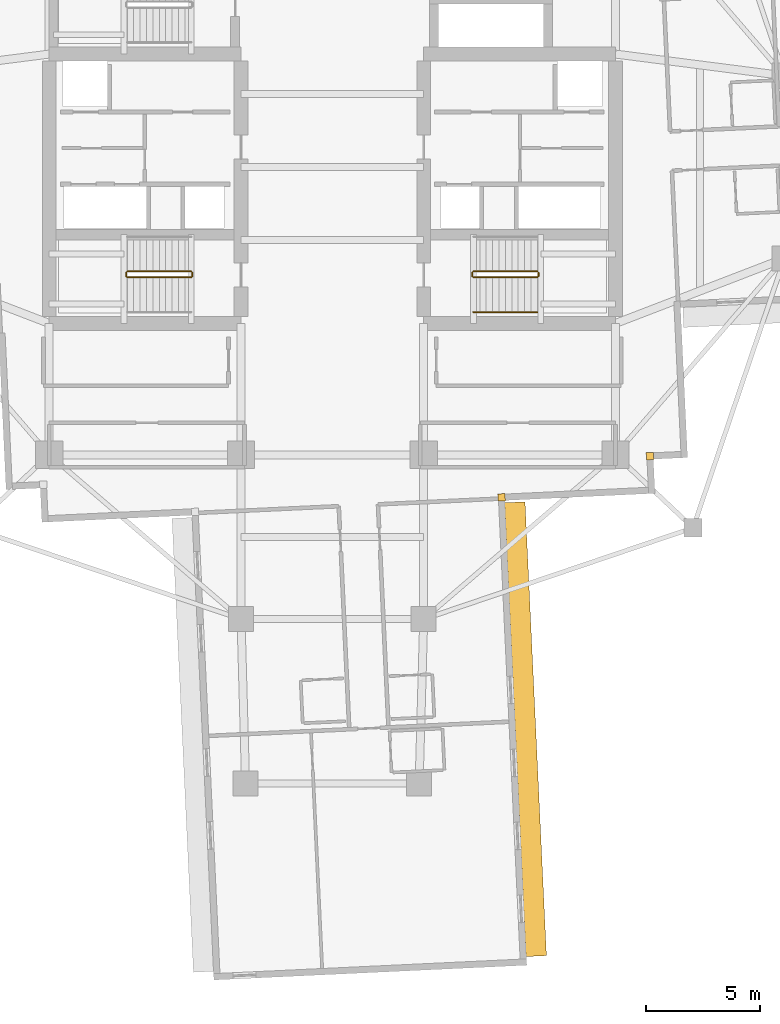
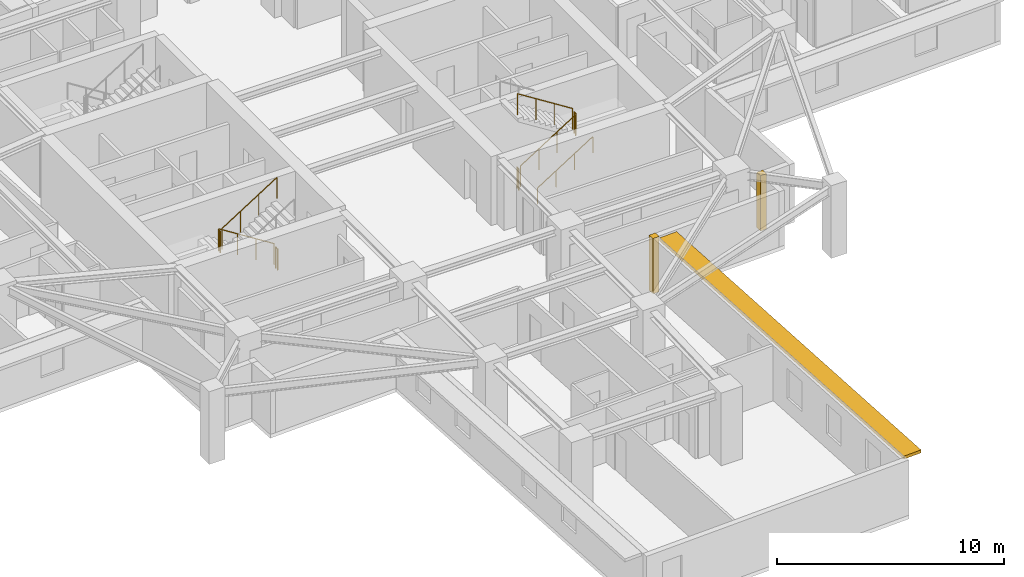
# One storey, part 11 of 14: 9 railings, 2 coverings, 1 shading device.
"""IFC4 building model written with IfcOpenShell, lengths in metres."""

from ifc_helpers import new_model, si_unit, direction, frame, origin, origin_2d, place, context, subcontext, project, spatial, rectangle, circle, extrude, material, layer, layer_set, type_object, element, save


model = new_model("IFC4")

# Units and contexts
model_context = context("Model", 3, precision=1e-05, world=origin(), true_north=direction((0.0, 1.0)))
body_context = subcontext(model_context, "Body", "Model", "MODEL_VIEW")
ifc_project = project(units=[si_unit("LENGTHUNIT", "METRE"), si_unit("AREAUNIT", "SQUARE_METRE"), si_unit("VOLUMEUNIT", "CUBIC_METRE"), si_unit("PLANEANGLEUNIT", "RADIAN"), si_unit("MASSUNIT", "GRAM", prefix="KILO")], contexts=[model_context])

# Site, building, storey
site_placement = place(None, origin())
site = spatial("IfcSite", under=ifc_project, at=site_placement, CompositionType="ELEMENT")
building_placement = place(site_placement, origin())
building = spatial("IfcBuilding", under=site, at=building_placement, Name="Qingluan Cross Belvedere", CompositionType="ELEMENT")
storey_placement = place(building_placement, frame((0.0, 0.0, 132.0)))
storey = spatial("IfcBuildingStorey", under=building, at=storey_placement, Name="L33", CompositionType="ELEMENT", Elevation=132.0)

# Coverings
ifc_material_1 = material(Name="Precast concrete C45", Category="concrete")
ifc_layer_1 = layer(ifc_material_1, 0.1201171875, Name="ConcreteSpandrelCladding_120")
ifc_layer_set_1 = layer_set([ifc_layer_1], Name="Precast concrete C45")
covering_type = type_object("IfcCoveringType", Name="ConcreteSpandrelCladding_120", PredefinedType="CLADDING", material=ifc_layer_set_1)
for number, where, z_axis, x_axis, name in (
    (1, (13.911865234375, -12.65869140625, 0.0), (0.0, 0.0, 1.0), (0.998889874962, 0.04710645071, 0.0), "Corner closure L33-SE1"),
    (2, (7.40966796875, -14.467041015625, 0.0), (0.0, 0.0, 1.0), (0.998889874962, 0.04710645071, 0.0), "Corner closure L33-SE2"),
):
    element("IfcCovering", number, at=place(storey_placement, frame(where, z_axis=z_axis, x_axis=x_axis)), inside=storey, type_object=covering_type, Name=name, PredefinedType="CLADDING", context=body_context, shape_type="SweptSolid", body=[
        extrude(rectangle(XDim=0.320068359375, YDim=0.320068359375, at=origin_2d()), origin(), (0.0, 0.0, 1.0), 2.969970703125),
    ])

# Shading device
ifc_material_2 = material(Name="Precast concrete C45", Category="concrete")
ifc_layer_2 = layer(ifc_material_2, 0.159912109375, Name="ConcreteSunshadeBand_900")
ifc_layer_set_2 = layer_set([ifc_layer_2], Name="Precast concrete C45")
shading_device_type = type_object("IfcShadingDeviceType", Name="ConcreteSunshadeBand_900", PredefinedType="USERDEFINED", material=ifc_layer_set_2)
shading_device_placement = place(storey_placement, frame((8.458984375, -24.618896484375, 2.7900390625), z_axis=(0.0, 0.0, 1.0), x_axis=(-0.047104684445, 0.998889958255, 0.0)))
element("IfcShadingDevice", 3, at=shading_device_placement, inside=storey, type_object=shading_device_type, Name="Concrete SUNSHADE L33-SB", ObjectType="SUNSHADE", PredefinedType="USERDEFINED", context=body_context, shape_type="SweptSolid", body=[
    extrude(rectangle(XDim=19.89990234375, YDim=0.89990234375, at=origin_2d()), origin(), (0.0, 0.0, 1.0), 0.159912109375),
])

# Railings
ifc_material_3 = material(Name="Brushed stainless steel tubular handrail", Category="steel")
railing_type_1 = type_object("IfcRailingType", Name="StairPitchHandrail_900", PredefinedType="HANDRAIL", material=ifc_material_3)
railing_1_placement = place(storey_placement, frame((6.179931640625, -6.35009765625, 0.17724609375)))
element("IfcRailing", 4, at=railing_1_placement, inside=storey, type_object=railing_type_1, Name="L33 ST2 stair handrail 1", PredefinedType="HANDRAIL", context=body_context, shape_type="SweptSolid", body=[
    extrude(circle(Radius=0.02392578125, at=origin_2d()), frame((0.0, 0.0, 0.8759765625), z_axis=(0.844908973607, 0.0, 0.534910110503), x_axis=(0.0, 1.0, 0.0)), (0.0, 0.0, 1.0), 3.31396484375),
    extrude(circle(Radius=0.02099609375, at=origin_2d()), origin(), (0.0, 0.0, 1.0), 0.851806640625),
    extrude(circle(Radius=0.02099609375, at=origin_2d()), frame((0.933349609375, 0.0, 0.5908203125)), (0.0, 0.0, 1.0), 0.851806640625),
    extrude(circle(Radius=0.02099609375, at=origin_2d()), frame((1.86669921875, 0.0, 1.181884765625)), (0.0, 0.0, 1.0), 0.851806640625),
    extrude(circle(Radius=0.02099609375, at=origin_2d()), frame((2.800048828125, 0.0, 1.772705078125)), (0.0, 0.0, 1.0), 0.851806640625),
])
ifc_material_4 = material(Name="Painted steel stair well guard", Category="steel")
railing_type_2 = type_object("IfcRailingType", Name="StairWellGuard_1150", PredefinedType="BALUSTRADE", material=ifc_material_4)
railing_2_placement = place(storey_placement, frame((-6.179931640625, -4.570068359375, 0.17724609375)))
element("IfcRailing", 5, at=railing_2_placement, inside=storey, type_object=railing_type_2, Name="L33 ST1 stair guard 1", PredefinedType="BALUSTRADE", context=body_context, shape_type="SweptSolid", body=[
    extrude(circle(Radius=0.02392578125, at=origin_2d()), frame((0.0, 0.0, 1.1259765625), z_axis=(-0.844908973607, 0.0, 0.534910110503), x_axis=(0.0, -1.0, 0.0)), (0.0, 0.0, 1.0), 3.31396484375),
    extrude(circle(Radius=0.02099609375, at=origin_2d()), origin(), (0.0, 0.0, 1.0), 1.101806640625),
    extrude(circle(Radius=0.02099609375, at=origin_2d()), frame((-0.933349609375, 0.0, 0.5908203125)), (0.0, 0.0, 1.0), 1.101806640625),
    extrude(circle(Radius=0.02099609375, at=origin_2d()), frame((-1.86669921875, 0.0, 1.181884765625)), (0.0, 0.0, 1.0), 1.101806640625),
    extrude(circle(Radius=0.02099609375, at=origin_2d()), frame((-2.800048828125, 0.0, 1.772705078125)), (0.0, 0.0, 1.0), 1.101806640625),
])
railing_3_placement = place(storey_placement, frame((-9.030029296875, -4.6201171875, 1.949951171875)))
element("IfcRailing", 6, at=railing_3_placement, inside=storey, type_object=railing_type_2, Name="L33 ST1 stair guard 2", PredefinedType="BALUSTRADE", context=body_context, shape_type="SweptSolid", body=[
    extrude(circle(Radius=0.02392578125, at=origin_2d()), frame((0.0, 0.0, 1.1259765625), z_axis=(0.0, -1.0, 0.0), x_axis=(1.0, 0.0, 0.0)), (0.0, 0.0, 1.0), 0.159912109375),
    extrude(circle(Radius=0.02099609375, at=origin_2d()), origin(), (0.0, 0.0, 1.0), 1.101806640625),
    extrude(circle(Radius=0.02099609375, at=origin_2d()), frame((0.0, -0.159912109375, 0.0)), (0.0, 0.0, 1.0), 1.101806640625),
])
railing_4_placement = place(storey_placement, frame((-8.97998046875, -4.830078125, 2.127197265625)))
element("IfcRailing", 7, at=railing_4_placement, inside=storey, type_object=railing_type_2, Name="L33 ST1 stair guard 3", PredefinedType="BALUSTRADE", context=body_context, shape_type="SweptSolid", body=[
    extrude(circle(Radius=0.02392578125, at=origin_2d()), frame((0.0, 0.0, 1.1259765625), z_axis=(0.844908973607, 0.0, 0.534910110503), x_axis=(0.0, 1.0, 0.0)), (0.0, 0.0, 1.0), 3.31396484375),
    extrude(circle(Radius=0.02099609375, at=origin_2d()), origin(), (0.0, 0.0, 1.0), 1.101806640625),
    extrude(circle(Radius=0.02099609375, at=origin_2d()), frame((0.933349609375, 0.0, 0.5908203125)), (0.0, 0.0, 1.0), 1.101806640625),
    extrude(circle(Radius=0.02099609375, at=origin_2d()), frame((1.86669921875, 0.0, 1.181884765625)), (0.0, 0.0, 1.0), 1.101806640625),
    extrude(circle(Radius=0.02099609375, at=origin_2d()), frame((2.800048828125, 0.0, 1.772705078125)), (0.0, 0.0, 1.0), 1.101806640625),
])
railing_5_placement = place(storey_placement, frame((-6.1298828125, -4.6201171875, 0.0)))
element("IfcRailing", 8, at=railing_5_placement, inside=storey, type_object=railing_type_2, Name="L33 ST1 stair guard 4", PredefinedType="BALUSTRADE", context=body_context, shape_type="SweptSolid", body=[
    extrude(circle(Radius=0.02392578125, at=origin_2d()), frame((0.0, 0.0, 1.1259765625), z_axis=(0.0, -1.0, 0.0), x_axis=(1.0, 0.0, 0.0)), (0.0, 0.0, 1.0), 0.159912109375),
    extrude(circle(Radius=0.02099609375, at=origin_2d()), origin(), (0.0, 0.0, 1.0), 1.101806640625),
    extrude(circle(Radius=0.02099609375, at=origin_2d()), frame((0.0, -0.159912109375, 0.0)), (0.0, 0.0, 1.0), 1.101806640625),
])
railing_6_placement = place(storey_placement, frame((6.179931640625, -4.830078125, 0.17724609375)))
element("IfcRailing", 9, at=railing_6_placement, inside=storey, type_object=railing_type_2, Name="L33 ST2 stair guard 1", PredefinedType="BALUSTRADE", context=body_context, shape_type="SweptSolid", body=[
    extrude(circle(Radius=0.02392578125, at=origin_2d()), frame((0.0, 0.0, 1.1259765625), z_axis=(0.844908973607, 0.0, 0.534910110503), x_axis=(0.0, 1.0, 0.0)), (0.0, 0.0, 1.0), 3.31396484375),
    extrude(circle(Radius=0.02099609375, at=origin_2d()), origin(), (0.0, 0.0, 1.0), 1.101806640625),
    extrude(circle(Radius=0.02099609375, at=origin_2d()), frame((0.933349609375, 0.0, 0.5908203125)), (0.0, 0.0, 1.0), 1.101806640625),
    extrude(circle(Radius=0.02099609375, at=origin_2d()), frame((1.86669921875, 0.0, 1.181884765625)), (0.0, 0.0, 1.0), 1.101806640625),
    extrude(circle(Radius=0.02099609375, at=origin_2d()), frame((2.800048828125, 0.0, 1.772705078125)), (0.0, 0.0, 1.0), 1.101806640625),
])
railing_7_placement = place(storey_placement, frame((9.030029296875, -4.780029296875, 1.949951171875)))
element("IfcRailing", 10, at=railing_7_placement, inside=storey, type_object=railing_type_2, Name="L33 ST2 stair guard 2", PredefinedType="BALUSTRADE", context=body_context, shape_type="SweptSolid", body=[
    extrude(circle(Radius=0.02392578125, at=origin_2d()), frame((0.0, 0.0, 1.1259765625), z_axis=(0.0, 1.0, 0.0), x_axis=(-1.0, 0.0, 0.0)), (0.0, 0.0, 1.0), 0.159912109375),
    extrude(circle(Radius=0.02099609375, at=origin_2d()), origin(), (0.0, 0.0, 1.0), 1.101806640625),
    extrude(circle(Radius=0.02099609375, at=origin_2d()), frame((0.0, 0.159912109375, 0.0)), (0.0, 0.0, 1.0), 1.101806640625),
])
railing_8_placement = place(storey_placement, frame((8.97998046875, -4.570068359375, 2.127197265625)))
element("IfcRailing", 11, at=railing_8_placement, inside=storey, type_object=railing_type_2, Name="L33 ST2 stair guard 3", PredefinedType="BALUSTRADE", context=body_context, shape_type="SweptSolid", body=[
    extrude(circle(Radius=0.02392578125, at=origin_2d()), frame((0.0, 0.0, 1.1259765625), z_axis=(-0.844908973607, 0.0, 0.534910110503), x_axis=(0.0, -1.0, 0.0)), (0.0, 0.0, 1.0), 3.31396484375),
    extrude(circle(Radius=0.02099609375, at=origin_2d()), origin(), (0.0, 0.0, 1.0), 1.101806640625),
    extrude(circle(Radius=0.02099609375, at=origin_2d()), frame((-0.933349609375, 0.0, 0.5908203125)), (0.0, 0.0, 1.0), 1.101806640625),
    extrude(circle(Radius=0.02099609375, at=origin_2d()), frame((-1.86669921875, 0.0, 1.181884765625)), (0.0, 0.0, 1.0), 1.101806640625),
    extrude(circle(Radius=0.02099609375, at=origin_2d()), frame((-2.800048828125, 0.0, 1.772705078125)), (0.0, 0.0, 1.0), 1.101806640625),
])
railing_9_placement = place(storey_placement, frame((6.1298828125, -4.780029296875, 0.0)))
element("IfcRailing", 12, at=railing_9_placement, inside=storey, type_object=railing_type_2, Name="L33 ST2 stair guard 4", PredefinedType="BALUSTRADE", context=body_context, shape_type="SweptSolid", body=[
    extrude(circle(Radius=0.02392578125, at=origin_2d()), frame((0.0, 0.0, 1.1259765625), z_axis=(0.0, 1.0, 0.0), x_axis=(-1.0, 0.0, 0.0)), (0.0, 0.0, 1.0), 0.159912109375),
    extrude(circle(Radius=0.02099609375, at=origin_2d()), origin(), (0.0, 0.0, 1.0), 1.101806640625),
    extrude(circle(Radius=0.02099609375, at=origin_2d()), frame((0.0, 0.159912109375, 0.0)), (0.0, 0.0, 1.0), 1.101806640625),
])

save(model, "model.ifc")
